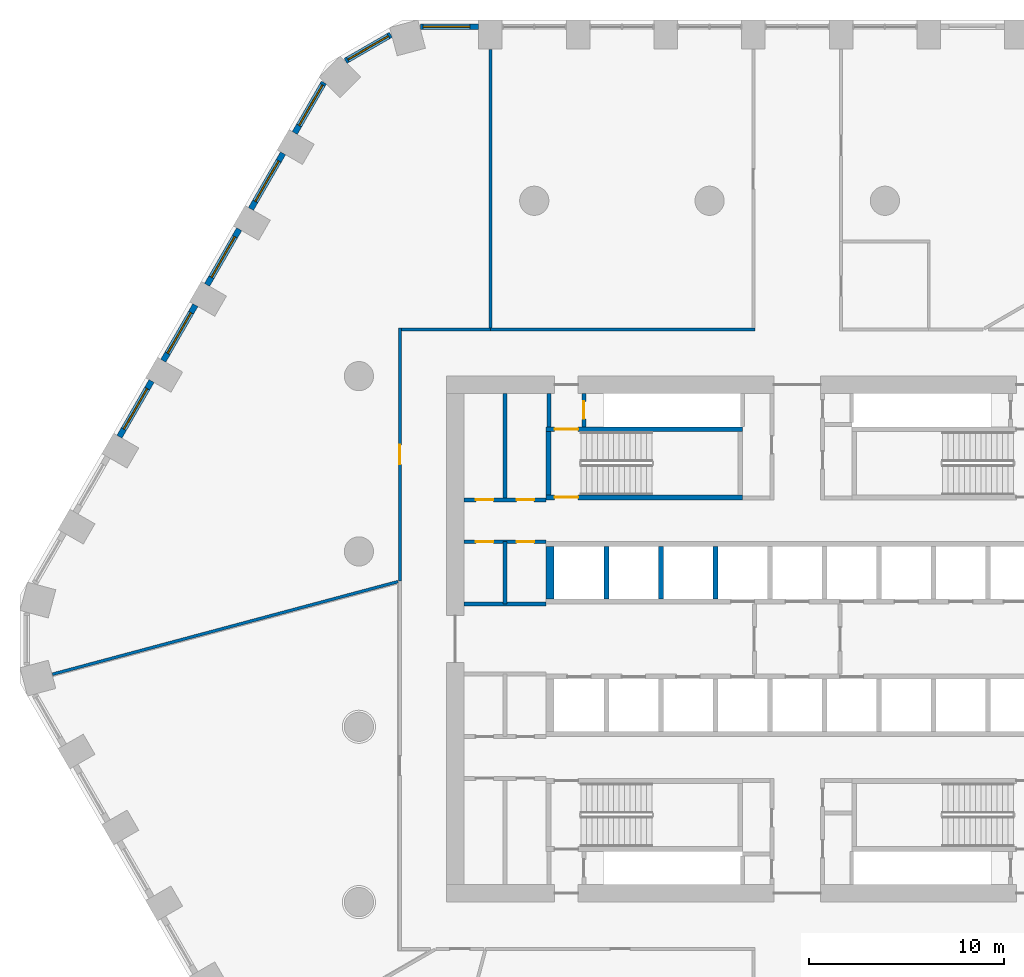
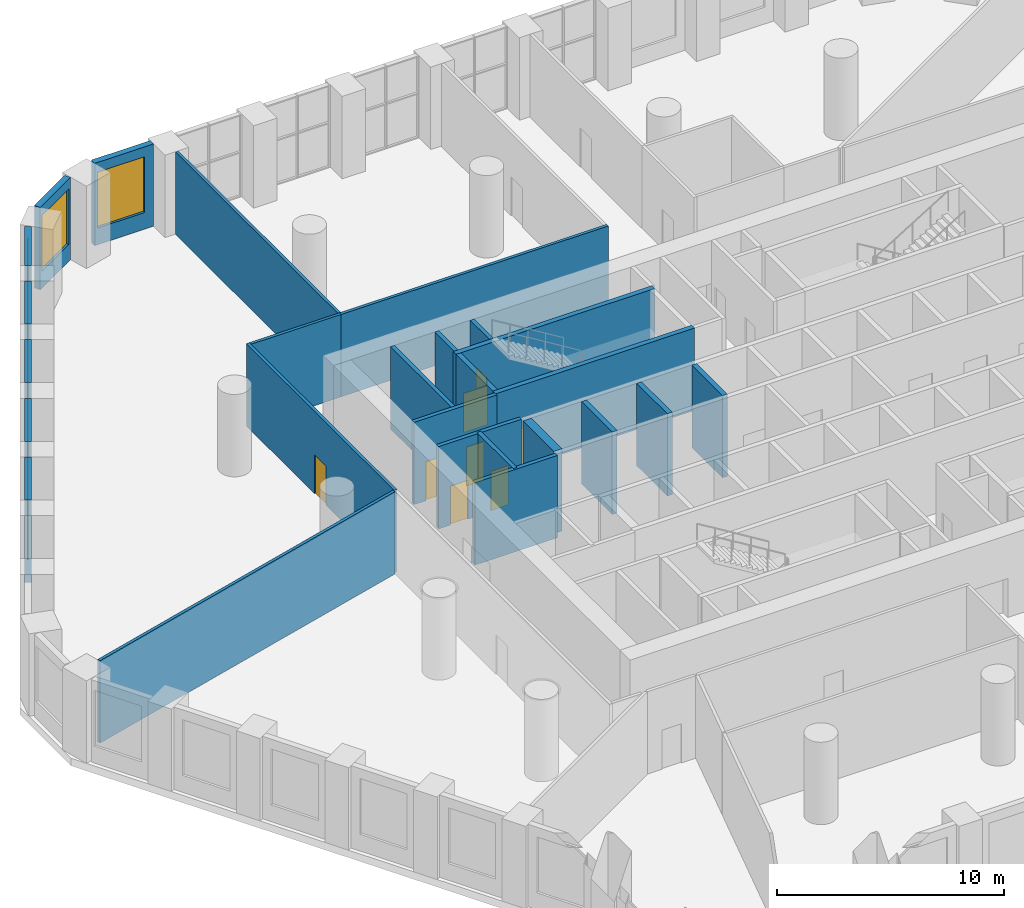
# One storey, part 8 of 13: 26 walls, 8 doors, 7 windows, 15 openings.
"""IFC4 building model written with IfcOpenShell, lengths in metres."""

from ifc_helpers import new_model, si_unit, direction, frame, frame_2d, origin, place, context, subcontext, project, spatial, polyline, rectangle, outline, extrude, material, layer, layer_set, type_object, element, fill, save


model = new_model("IFC4")

# Units and contexts
model_context = context("Model", 3, precision=1e-05, world=origin(), true_north=direction((0.0, 1.0)))
body_context = subcontext(model_context, "Body", "Model", "MODEL_VIEW")
ifc_project = project(units=[si_unit("LENGTHUNIT", "METRE"), si_unit("AREAUNIT", "SQUARE_METRE"), si_unit("VOLUMEUNIT", "CUBIC_METRE"), si_unit("PLANEANGLEUNIT", "RADIAN"), si_unit("MASSUNIT", "GRAM", prefix="KILO")], contexts=[model_context])

# Site, building, storey
site_placement = place(None, origin())
site = spatial("IfcSite", under=ifc_project, at=site_placement, CompositionType="ELEMENT")
building_placement = place(site_placement, origin())
building = spatial("IfcBuilding", under=site, at=building_placement, Name="Dhurran Vertical Campus", CompositionType="ELEMENT")
storey_placement = place(building_placement, frame((0.0, 0.0, 25.199951171875)))
storey = spatial("IfcBuildingStorey", under=building, at=storey_placement, Name="L05", CompositionType="ELEMENT", Elevation=25.199951171875)

# Wall, opening, window
ifc_material_1 = material(Name="Precast concrete C50/60", Category="concrete")
ifc_layer_1 = layer(ifc_material_1, 0.300048828125)
ifc_layer_set_1 = layer_set([ifc_layer_1], Name="Precast concrete C50/60")
wall_type_1 = type_object("IfcWallType", Name="Precast spandrel wall 300", PredefinedType="SOLIDWALL", material=ifc_layer_set_1)
wall_1_placement = place(storey_placement, frame((-16.3505859375, 31.4296875, 0.0), z_axis=(0.0, 0.0, 1.0), x_axis=(-1.0, 0.0, 0.0)))
wall_1 = element("IfcWall", 1, at=wall_1_placement, inside=storey, type_object=wall_type_1, Name="EW1 L05.34", PredefinedType="SOLIDWALL", context=body_context, shape_type="SweptSolid", body=[
    extrude(rectangle(XDim=2.98876953125, YDim=0.300048828125, at=frame_2d((1.494384765625, 0.0))), origin(), (0.0, 0.0, 1.0), 4.425048828125),
])
opening_1_placement = place(wall_1_placement, frame((0.449462890625, 0.0, 0.89990234375)))
opening_1 = element("IfcOpeningElement", 2, at=opening_1_placement, cuts=wall_1, Name="Opening WT2", PredefinedType="OPENING", context=body_context, shape_type="SweptSolid", body=[
    extrude(rectangle(XDim=2.39990234375, YDim=3.0, at=frame_2d((1.199951171875, 1.5))), frame((0.0, 0.159912109375, 0.0), z_axis=(0.0, -1.0, 0.0), x_axis=(1.0, 0.0, 0.0)), (0.0, 0.0, 1.0), 0.320068359375),
])
ifc_material_2 = material(Name="Aluminium frame with solar-control glass", Category="aluminium")
window_type = type_object("IfcWindowType", Name="Podium window 2400 x 3000", PartitioningType="SINGLE_PANEL", PredefinedType="WINDOW", material=ifc_material_2)
window_1_placement = place(opening_1_placement, origin())
window_1 = element("IfcWindow", 3, at=window_1_placement, inside=storey, type_object=window_type, Name="WT2 L05.34", OverallHeight=3.0, OverallWidth=2.39990234375, PartitioningType="SINGLE_PANEL", PredefinedType="WINDOW", context=body_context, shape_type="SweptSolid", body=[
    extrude(rectangle(XDim=2.39990234375, YDim=3.0, at=frame_2d((1.199951171875, 1.5))), frame((0.0, 0.030029296875, 0.0), z_axis=(0.0, -1.0, 0.0), x_axis=(1.0, 0.0, 0.0)), (0.0, 0.0, 1.0), 0.06005859375),
])
fill(opening_1, window_1)

wall_2_placement = place(storey_placement, frame((-20.86376953125, 31.021240234375, 0.0), z_axis=(0.0, 0.0, 1.0), x_axis=(-0.866001915448, -0.500040680786, 0.0)))
wall_2 = element("IfcWall", 4, at=wall_2_placement, inside=storey, type_object=wall_type_1, Name="EW1 L05.35", PredefinedType="SOLIDWALL", context=body_context, shape_type="SweptSolid", body=[
    extrude(rectangle(XDim=2.678466796875, YDim=0.300048828125, at=frame_2d((1.33935546875, 0.0))), origin(), (0.0, 0.0, 1.0), 4.425048828125),
])
opening_2_placement = place(wall_2_placement, frame((0.139404296875, 0.0, 0.89990234375)))
opening_2 = element("IfcOpeningElement", 5, at=opening_2_placement, cuts=wall_2, Name="Opening WT2", PredefinedType="OPENING", context=body_context, shape_type="SweptSolid", body=[
    extrude(rectangle(XDim=2.39990234375, YDim=3.0, at=frame_2d((1.199951171875, 1.5))), frame((0.0, 0.159912109375, 0.0), z_axis=(0.0, -1.0, 0.0), x_axis=(1.0, 0.0, 0.0)), (0.0, 0.0, 1.0), 0.320068359375),
])
window_2_placement = place(opening_2_placement, origin())
window_2 = element("IfcWindow", 6, at=window_2_placement, inside=storey, type_object=window_type, Name="WT2 L05.35", OverallHeight=3.0, OverallWidth=2.39990234375, PartitioningType="SINGLE_PANEL", PredefinedType="WINDOW", context=body_context, shape_type="SweptSolid", body=[
    extrude(rectangle(XDim=2.39990234375, YDim=3.0, at=frame_2d((1.199951171875, 1.5))), frame((0.0, 0.030029296875, 0.0), z_axis=(0.0, -1.0, 0.0), x_axis=(1.0, 0.0, 0.0)), (0.0, 0.0, 1.0), 0.06005859375),
])
fill(opening_2, window_2)

wall_3_placement = place(storey_placement, frame((-24.29931640625, 28.566162109375, 0.0), z_axis=(0.0, 0.0, 1.0), x_axis=(-0.49999586137, -0.866027793211, 0.0)))
wall_3 = element("IfcWall", 7, at=wall_3_placement, inside=storey, type_object=wall_type_1, Name="EW1 L05.36", PredefinedType="SOLIDWALL", context=body_context, shape_type="SweptSolid", body=[
    extrude(rectangle(XDim=2.98876953125, YDim=0.300048828125, at=frame_2d((1.494384765625, 0.0))), origin(), (0.0, 0.0, 1.0), 4.425048828125),
])
opening_3_placement = place(wall_3_placement, frame((0.139404296875, 0.0, 0.89990234375)))
opening_3 = element("IfcOpeningElement", 8, at=opening_3_placement, cuts=wall_3, Name="Opening WT2", PredefinedType="OPENING", context=body_context, shape_type="SweptSolid", body=[
    extrude(rectangle(XDim=2.39990234375, YDim=3.0, at=frame_2d((1.199951171875, 1.5))), frame((0.0, 0.159912109375, 0.0), z_axis=(0.0, -1.0, 0.0), x_axis=(1.0, 0.0, 0.0)), (0.0, 0.0, 1.0), 0.320068359375),
])
window_3_placement = place(opening_3_placement, origin())
window_3 = element("IfcWindow", 9, at=window_3_placement, inside=storey, type_object=window_type, Name="WT2 L05.36", OverallHeight=3.0, OverallWidth=2.39990234375, PartitioningType="SINGLE_PANEL", PredefinedType="WINDOW", context=body_context, shape_type="SweptSolid", body=[
    extrude(rectangle(XDim=2.39990234375, YDim=3.0, at=frame_2d((1.199951171875, 1.5))), frame((0.0, 0.030029296875, 0.0), z_axis=(0.0, -1.0, 0.0), x_axis=(1.0, 0.0, 0.0)), (0.0, 0.0, 1.0), 0.06005859375),
])
fill(opening_3, window_3)

wall_4_placement = place(storey_placement, frame((-26.394287109375, 24.9375, 0.0), z_axis=(0.0, 0.0, 1.0), x_axis=(-0.499991515992, -0.866030301974, 0.0)))
wall_4 = element("IfcWall", 10, at=wall_4_placement, inside=storey, type_object=wall_type_1, Name="EW1 L05.37", PredefinedType="SOLIDWALL", context=body_context, shape_type="SweptSolid", body=[
    extrude(rectangle(XDim=3.298828125, YDim=0.300048828125, at=frame_2d((1.6494140625, 0.0))), origin(), (0.0, 0.0, 1.0), 4.425048828125),
])
opening_4_placement = place(wall_4_placement, frame((0.449462890625, 0.0, 0.89990234375)))
opening_4 = element("IfcOpeningElement", 11, at=opening_4_placement, cuts=wall_4, Name="Opening WT2", PredefinedType="OPENING", context=body_context, shape_type="SweptSolid", body=[
    extrude(rectangle(XDim=2.39990234375, YDim=3.0, at=frame_2d((1.199951171875, 1.5))), frame((0.0, 0.159912109375, 0.0), z_axis=(0.0, -1.0, 0.0), x_axis=(1.0, 0.0, 0.0)), (0.0, 0.0, 1.0), 0.320068359375),
])
window_4_placement = place(opening_4_placement, origin())
window_4 = element("IfcWindow", 12, at=window_4_placement, inside=storey, type_object=window_type, Name="WT2 L05.37", OverallHeight=3.0, OverallWidth=2.39990234375, PartitioningType="SINGLE_PANEL", PredefinedType="WINDOW", context=body_context, shape_type="SweptSolid", body=[
    extrude(rectangle(XDim=2.39990234375, YDim=3.0, at=frame_2d((1.199951171875, 1.5))), frame((0.0, 0.030029296875, 0.0), z_axis=(0.0, -1.0, 0.0), x_axis=(1.0, 0.0, 0.0)), (0.0, 0.0, 1.0), 0.06005859375),
])
fill(opening_4, window_4)

wall_5_placement = place(storey_placement, frame((-28.644287109375, 21.04052734375, 0.0), z_axis=(0.0, 0.0, 1.0), x_axis=(-0.499991515992, -0.866030301974, 0.0)))
wall_5 = element("IfcWall", 13, at=wall_5_placement, inside=storey, type_object=wall_type_1, Name="EW1 L05.38", PredefinedType="SOLIDWALL", context=body_context, shape_type="SweptSolid", body=[
    extrude(rectangle(XDim=3.298828125, YDim=0.300048828125, at=frame_2d((1.6494140625, 0.0))), origin(), (0.0, 0.0, 1.0), 4.425048828125),
])
opening_5_placement = place(wall_5_placement, frame((0.449462890625, 0.0, 0.89990234375)))
opening_5 = element("IfcOpeningElement", 14, at=opening_5_placement, cuts=wall_5, Name="Opening WT2", PredefinedType="OPENING", context=body_context, shape_type="SweptSolid", body=[
    extrude(rectangle(XDim=2.39990234375, YDim=3.0, at=frame_2d((1.199951171875, 1.5))), frame((0.0, 0.159912109375, 0.0), z_axis=(0.0, -1.0, 0.0), x_axis=(1.0, 0.0, 0.0)), (0.0, 0.0, 1.0), 0.320068359375),
])
window_5_placement = place(opening_5_placement, origin())
window_5 = element("IfcWindow", 15, at=window_5_placement, inside=storey, type_object=window_type, Name="WT2 L05.38", OverallHeight=3.0, OverallWidth=2.39990234375, PartitioningType="SINGLE_PANEL", PredefinedType="WINDOW", context=body_context, shape_type="SweptSolid", body=[
    extrude(rectangle(XDim=2.39990234375, YDim=3.0, at=frame_2d((1.199951171875, 1.5))), frame((0.0, 0.030029296875, 0.0), z_axis=(0.0, -1.0, 0.0), x_axis=(1.0, 0.0, 0.0)), (0.0, 0.0, 1.0), 0.06005859375),
])
fill(opening_5, window_5)

wall_6_placement = place(storey_placement, frame((-30.894287109375, 17.143310546875, 0.0), z_axis=(0.0, 0.0, 1.0), x_axis=(-0.499991515992, -0.866030301974, 0.0)))
wall_6 = element("IfcWall", 16, at=wall_6_placement, inside=storey, type_object=wall_type_1, Name="EW1 L05.39", PredefinedType="SOLIDWALL", context=body_context, shape_type="SweptSolid", body=[
    extrude(rectangle(XDim=3.298828125, YDim=0.300048828125, at=frame_2d((1.6494140625, 0.0))), origin(), (0.0, 0.0, 1.0), 4.425048828125),
])
opening_6_placement = place(wall_6_placement, frame((0.449462890625, 0.0, 0.89990234375)))
opening_6 = element("IfcOpeningElement", 17, at=opening_6_placement, cuts=wall_6, Name="Opening WT2", PredefinedType="OPENING", context=body_context, shape_type="SweptSolid", body=[
    extrude(rectangle(XDim=2.39990234375, YDim=3.0, at=frame_2d((1.199951171875, 1.5))), frame((0.0, 0.159912109375, 0.0), z_axis=(0.0, -1.0, 0.0), x_axis=(1.0, 0.0, 0.0)), (0.0, 0.0, 1.0), 0.320068359375),
])
window_6_placement = place(opening_6_placement, origin())
window_6 = element("IfcWindow", 18, at=window_6_placement, inside=storey, type_object=window_type, Name="WT2 L05.39", OverallHeight=3.0, OverallWidth=2.39990234375, PartitioningType="SINGLE_PANEL", PredefinedType="WINDOW", context=body_context, shape_type="SweptSolid", body=[
    extrude(rectangle(XDim=2.39990234375, YDim=3.0, at=frame_2d((1.199951171875, 1.5))), frame((0.0, 0.030029296875, 0.0), z_axis=(0.0, -1.0, 0.0), x_axis=(1.0, 0.0, 0.0)), (0.0, 0.0, 1.0), 0.06005859375),
])
fill(opening_6, window_6)

wall_7_placement = place(storey_placement, frame((-33.144287109375, 13.246337890625, 0.0), z_axis=(0.0, 0.0, 1.0), x_axis=(-0.499991515992, -0.866030301974, 0.0)))
wall_7 = element("IfcWall", 19, at=wall_7_placement, inside=storey, type_object=wall_type_1, Name="EW1 L05.40", PredefinedType="SOLIDWALL", context=body_context, shape_type="SweptSolid", body=[
    extrude(rectangle(XDim=3.298828125, YDim=0.300048828125, at=frame_2d((1.6494140625, 0.0))), origin(), (0.0, 0.0, 1.0), 4.425048828125),
])
opening_7_placement = place(wall_7_placement, frame((0.449462890625, 0.0, 0.89990234375)))
opening_7 = element("IfcOpeningElement", 20, at=opening_7_placement, cuts=wall_7, Name="Opening WT2", PredefinedType="OPENING", context=body_context, shape_type="SweptSolid", body=[
    extrude(rectangle(XDim=2.39990234375, YDim=3.0, at=frame_2d((1.199951171875, 1.5))), frame((0.0, 0.159912109375, 0.0), z_axis=(0.0, -1.0, 0.0), x_axis=(1.0, 0.0, 0.0)), (0.0, 0.0, 1.0), 0.320068359375),
])
window_7_placement = place(opening_7_placement, origin())
window_7 = element("IfcWindow", 21, at=window_7_placement, inside=storey, type_object=window_type, Name="WT2 L05.40", OverallHeight=3.0, OverallWidth=2.39990234375, PartitioningType="SINGLE_PANEL", PredefinedType="WINDOW", context=body_context, shape_type="SweptSolid", body=[
    extrude(rectangle(XDim=2.39990234375, YDim=3.0, at=frame_2d((1.199951171875, 1.5))), frame((0.0, 0.030029296875, 0.0), z_axis=(0.0, -1.0, 0.0), x_axis=(1.0, 0.0, 0.0)), (0.0, 0.0, 1.0), 0.06005859375),
])
fill(opening_7, window_7)

# Wall
ifc_material_3 = material(Name="Fire-rated masonry blockwork", Category="masonry")
ifc_layer_2 = layer(ifc_material_3, 0.199951171875)
ifc_layer_set_2 = layer_set([ifc_layer_2], Name="Fire-rated masonry blockwork")
wall_type_2 = type_object("IfcWallType", Name="co-FIRE-PARTITION-200", PredefinedType="PARTITIONING", material=ifc_layer_set_2)
wall_8_placement = place(storey_placement, frame((-12.75, 10.89990234375, 0.0), z_axis=(0.0, 0.0, 1.0), x_axis=(0.0, 1.0, 0.0)))
element("IfcWall", 22, at=wall_8_placement, inside=storey, type_object=wall_type_2, Name="Core partition pass-ST1-o L05", PredefinedType="PARTITIONING", context=body_context, shape_type="SweptSolid", body=[
    extrude(rectangle(XDim=1.7001953125, YDim=0.199951171875, at=frame_2d((0.85009765625, 0.0))), origin(), (0.0, 0.0, 1.0), 4.425048828125),
])

# Wall, opening, door
wall_9_placement = place(storey_placement, frame((-10.949951171875, 10.89990234375, 0.0), z_axis=(0.0, 0.0, 1.0), x_axis=(0.0, 1.0, 0.0)))
wall_9 = element("IfcWall", 23, at=wall_9_placement, inside=storey, type_object=wall_type_2, Name="Core partition pass-ST1-i L05", PredefinedType="PARTITIONING", context=body_context, shape_type="SweptSolid", body=[
    extrude(rectangle(XDim=1.7001953125, YDim=0.199951171875, at=frame_2d((0.85009765625, 0.0))), origin(), (0.0, 0.0, 1.0), 4.425048828125),
])
opening_8_placement = place(wall_9_placement, frame((0.39990234375, 0.0, 0.0)))
opening_8 = element("IfcOpeningElement", 24, at=opening_8_placement, cuts=wall_9, Name="Opening PD05-C8", PredefinedType="OPENING", context=body_context, shape_type="SweptSolid", body=[
    extrude(rectangle(XDim=0.89990234375, YDim=2.10009765625, at=frame_2d((0.449951171875, 1.050048828125))), frame((0.0, 0.10986328125, 0.0), z_axis=(0.0, -1.0, 0.0), x_axis=(1.0, 0.0, 0.0)), (0.0, 0.0, 1.0), 0.219970703125),
])
ifc_material_4 = material(Name="Fire-rated timber door set", Category="wood")
door_type_1 = type_object("IfcDoorType", Name="co-D-ROOM 900x2100", OperationType="SINGLE_SWING_LEFT", PredefinedType="DOOR", material=ifc_material_4)
door_1_placement = place(opening_8_placement, origin())
door_1 = element("IfcDoor", 25, at=door_1_placement, inside=storey, type_object=door_type_1, Name="Riser room door L05", OperationType="SINGLE_SWING_LEFT", OverallHeight=2.10009765625, OverallWidth=0.89990234375, PredefinedType="DOOR", context=body_context, shape_type="SweptSolid", body=[
    extrude(rectangle(XDim=0.89990234375, YDim=2.10009765625, at=frame_2d((0.449951171875, 1.050048828125))), frame((0.0, 0.02490234375, 0.0), z_axis=(0.0, -1.0, 0.0), x_axis=(1.0, 0.0, 0.0)), (0.0, 0.0, 1.0), 0.050048828125),
])
fill(opening_8, door_1)

# Wall
wall_10_placement = place(storey_placement, frame((-15.0, 7.14990234375, 0.0), z_axis=(0.0, 0.0, 1.0), x_axis=(0.0, 1.0, 0.0)))
element("IfcWall", 26, at=wall_10_placement, inside=storey, type_object=wall_type_2, Name="Core partition en-NW-cut0 L05", PredefinedType="PARTITIONING", context=body_context, shape_type="SweptSolid", body=[
    extrude(rectangle(XDim=5.4501953125, YDim=0.199951171875, at=frame_2d((2.72509765625, 0.0))), origin(), (0.0, 0.0, 1.0), 4.425048828125),
])

# Wall, openings, doors
wall_11_placement = place(storey_placement, frame((-17.10009765625, 7.14990234375, 0.0), z_axis=(0.0, 0.0, 1.0), x_axis=(1.0, 0.0, 0.0)))
wall_11 = element("IfcWall", 27, at=wall_11_placement, inside=storey, type_object=wall_type_2, Name="Core partition en-NW-w L05", PredefinedType="PARTITIONING", context=body_context, shape_type="SweptSolid", body=[
    extrude(rectangle(XDim=4.2001953125, YDim=0.199951171875, at=frame_2d((2.10009765625, 0.0))), origin(), (0.0, 0.0, 1.0), 4.425048828125),
])
opening_9_placement = place(wall_11_placement, frame((0.60009765625, 0.0, 0.0)))
opening_9 = element("IfcOpeningElement", 28, at=opening_9_placement, cuts=wall_11, Name="Opening PD05-C12", PredefinedType="OPENING", context=body_context, shape_type="SweptSolid", body=[
    extrude(rectangle(XDim=0.89990234375, YDim=2.10009765625, at=frame_2d((0.449951171875, 1.050048828125))), frame((0.0, 0.10986328125, 0.0), z_axis=(0.0, -1.0, 0.0), x_axis=(1.0, 0.0, 0.0)), (0.0, 0.0, 1.0), 0.219970703125),
])
opening_10_placement = place(wall_11_placement, frame((2.699951171875, 0.0, 0.0)))
opening_10 = element("IfcOpeningElement", 29, at=opening_10_placement, cuts=wall_11, Name="Opening PD05-C13", PredefinedType="OPENING", context=body_context, shape_type="SweptSolid", body=[
    extrude(rectangle(XDim=0.89990234375, YDim=2.10009765625, at=frame_2d((0.449951171875, 1.050048828125))), frame((0.0, 0.10986328125, 0.0), z_axis=(0.0, -1.0, 0.0), x_axis=(1.0, 0.0, 0.0)), (0.0, 0.0, 1.0), 0.219970703125),
])
door_2_placement = place(opening_9_placement, origin())
door_2 = element("IfcDoor", 30, at=door_2_placement, inside=storey, type_object=door_type_1, Name="Electrical riser door L05", OperationType="SINGLE_SWING_LEFT", OverallHeight=2.10009765625, OverallWidth=0.89990234375, PredefinedType="DOOR", context=body_context, shape_type="SweptSolid", body=[
    extrude(rectangle(XDim=0.89990234375, YDim=2.10009765625, at=frame_2d((0.449951171875, 1.050048828125))), frame((0.0, 0.02490234375, 0.0), z_axis=(0.0, -1.0, 0.0), x_axis=(1.0, 0.0, 0.0)), (0.0, 0.0, 1.0), 0.050048828125),
])
fill(opening_9, door_2)
door_3_placement = place(opening_10_placement, origin())
door_3 = element("IfcDoor", 31, at=door_3_placement, inside=storey, type_object=door_type_1, Name="Print room door L05", OperationType="SINGLE_SWING_LEFT", OverallHeight=2.10009765625, OverallWidth=0.89990234375, PredefinedType="DOOR", context=body_context, shape_type="SweptSolid", body=[
    extrude(rectangle(XDim=0.89990234375, YDim=2.10009765625, at=frame_2d((0.449951171875, 1.050048828125))), frame((0.0, 0.02490234375, 0.0), z_axis=(0.0, -1.0, 0.0), x_axis=(1.0, 0.0, 0.0)), (0.0, 0.0, 1.0), 0.050048828125),
])
fill(opening_10, door_3)

# Wall
wall_12_placement = place(storey_placement, frame((-15.0, 1.800048828125, 0.0), z_axis=(0.0, 0.0, 1.0), x_axis=(0.0, 1.0, 0.0)))
element("IfcWall", 32, at=wall_12_placement, inside=storey, type_object=wall_type_2, Name="Core partition es-NW-cut0 L05", PredefinedType="PARTITIONING", context=body_context, shape_type="SweptSolid", body=[
    extrude(rectangle(XDim=3.199951171875, YDim=0.199951171875, at=frame_2d((1.60009765625, 0.0))), origin(), (0.0, 0.0, 1.0), 4.425048828125),
])

# Wall, openings, doors
wall_13_placement = place(storey_placement, frame((-17.10009765625, 5.0, 0.0), z_axis=(0.0, 0.0, 1.0), x_axis=(1.0, 0.0, 0.0)))
wall_13 = element("IfcWall", 33, at=wall_13_placement, inside=storey, type_object=wall_type_2, Name="Core partition es-NW-w L05", PredefinedType="PARTITIONING", context=body_context, shape_type="SweptSolid", body=[
    extrude(rectangle(XDim=4.2001953125, YDim=0.199951171875, at=frame_2d((2.10009765625, 0.0))), origin(), (0.0, 0.0, 1.0), 4.425048828125),
])
opening_11_placement = place(wall_13_placement, frame((0.60009765625, 0.0, 0.0)))
opening_11 = element("IfcOpeningElement", 34, at=opening_11_placement, cuts=wall_13, Name="Opening PD05-C14", PredefinedType="OPENING", context=body_context, shape_type="SweptSolid", body=[
    extrude(rectangle(XDim=0.89990234375, YDim=2.10009765625, at=frame_2d((0.449951171875, 1.050048828125))), frame((0.0, 0.10986328125, 0.0), z_axis=(0.0, -1.0, 0.0), x_axis=(1.0, 0.0, 0.0)), (0.0, 0.0, 1.0), 0.219970703125),
])
opening_12_placement = place(wall_13_placement, frame((2.699951171875, 0.0, 0.0)))
opening_12 = element("IfcOpeningElement", 35, at=opening_12_placement, cuts=wall_13, Name="Opening PD05-C15", PredefinedType="OPENING", context=body_context, shape_type="SweptSolid", body=[
    extrude(rectangle(XDim=0.89990234375, YDim=2.10009765625, at=frame_2d((0.449951171875, 1.050048828125))), frame((0.0, 0.10986328125, 0.0), z_axis=(0.0, -1.0, 0.0), x_axis=(1.0, 0.0, 0.0)), (0.0, 0.0, 1.0), 0.219970703125),
])
door_4_placement = place(opening_11_placement, origin())
door_4 = element("IfcDoor", 36, at=door_4_placement, inside=storey, type_object=door_type_1, Name="Pantry door L05", OperationType="SINGLE_SWING_LEFT", OverallHeight=2.10009765625, OverallWidth=0.89990234375, PredefinedType="DOOR", context=body_context, shape_type="SweptSolid", body=[
    extrude(rectangle(XDim=0.89990234375, YDim=2.10009765625, at=frame_2d((0.449951171875, 1.050048828125))), frame((0.0, 0.02490234375, 0.0), z_axis=(0.0, -1.0, 0.0), x_axis=(1.0, 0.0, 0.0)), (0.0, 0.0, 1.0), 0.050048828125),
])
fill(opening_11, door_4)
door_5_placement = place(opening_12_placement, origin())
door_5 = element("IfcDoor", 37, at=door_5_placement, inside=storey, type_object=door_type_1, Name="Plant room door L05", OperationType="SINGLE_SWING_LEFT", OverallHeight=2.10009765625, OverallWidth=0.89990234375, PredefinedType="DOOR", context=body_context, shape_type="SweptSolid", body=[
    extrude(rectangle(XDim=0.89990234375, YDim=2.10009765625, at=frame_2d((0.449951171875, 1.050048828125))), frame((0.0, 0.02490234375, 0.0), z_axis=(0.0, -1.0, 0.0), x_axis=(1.0, 0.0, 0.0)), (0.0, 0.0, 1.0), 0.050048828125),
])
fill(opening_12, door_5)

# Walls
wall_14_placement = place(storey_placement, frame((-17.10009765625, 1.800048828125, 0.0), z_axis=(0.0, 0.0, 1.0), x_axis=(1.0, 0.0, 0.0)))
element("IfcWall", 38, at=wall_14_placement, inside=storey, type_object=wall_type_2, Name="Core partition es-NW-l L05", PredefinedType="PARTITIONING", context=body_context, shape_type="SweptSolid", body=[
    extrude(rectangle(XDim=4.2001953125, YDim=0.199951171875, at=frame_2d((2.10009765625, 0.0))), origin(), (0.0, 0.0, 1.0), 4.425048828125),
])
ifc_material_5 = material(Name="Concrete C50/60", Category="concrete")
ifc_layer_3 = layer(ifc_material_5, 0.25)
ifc_layer_set_3 = layer_set([ifc_layer_3], Name="Concrete C50/60")
wall_type_3 = type_object("IfcWallType", Name="co-SHAFT-MASS-250", PredefinedType="SHEAR", material=ifc_layer_set_3)
wall_15_placement = place(storey_placement, origin())
element("IfcWall", 39, at=wall_15_placement, inside=storey, type_object=wall_type_3, Name="Lift shaft wall N L05 2", PredefinedType="SHEAR", context=body_context, shape_type="SweptSolid", body=[
    extrude(outline(polyline([(-12.89990234375, 2.050048828125), (-12.47509765625, 2.050048828125), (-12.47509765625, 4.75), (-12.89990234375, 4.75), (-12.89990234375, 2.050048828125)])), origin(), (0.0, 0.0, 1.0), 4.425048828125),
])
wall_16_placement = place(storey_placement, origin())
element("IfcWall", 40, at=wall_16_placement, inside=storey, type_object=wall_type_3, Name="Lift shaft wall N L05 3", PredefinedType="SHEAR", context=body_context, shape_type="SweptSolid", body=[
    extrude(outline(polyline([(-9.925048828125, 2.050048828125), (-9.675048828125, 2.050048828125), (-9.675048828125, 4.75), (-9.925048828125, 4.75), (-9.925048828125, 2.050048828125)])), origin(), (0.0, 0.0, 1.0), 4.425048828125),
])
wall_17_placement = place(storey_placement, origin())
element("IfcWall", 41, at=wall_17_placement, inside=storey, type_object=wall_type_3, Name="Lift shaft wall N L05 4", PredefinedType="SHEAR", context=body_context, shape_type="SweptSolid", body=[
    extrude(outline(polyline([(-7.125, 2.050048828125), (-6.875, 2.050048828125), (-6.875, 4.75), (-7.125, 4.75), (-7.125, 2.050048828125)])), origin(), (0.0, 0.0, 1.0), 4.425048828125),
])
wall_18_placement = place(storey_placement, origin())
element("IfcWall", 42, at=wall_18_placement, inside=storey, type_object=wall_type_3, Name="Lift shaft wall N L05 5", PredefinedType="SHEAR", context=body_context, shape_type="SweptSolid", body=[
    extrude(outline(polyline([(-4.324951171875, 2.050048828125), (-4.074951171875, 2.050048828125), (-4.074951171875, 4.75), (-4.324951171875, 4.75), (-4.324951171875, 2.050048828125)])), origin(), (0.0, 0.0, 1.0), 4.425048828125),
])

# Wall, opening, door
ifc_material_6 = material(Name="Concrete C40/50", Category="concrete")
ifc_layer_4 = layer(ifc_material_6, 0.25)
ifc_layer_set_4 = layer_set([ifc_layer_4], Name="Concrete C40/50")
wall_type_4 = type_object("IfcWallType", Name="co-STAIR-WALL-250", PredefinedType="SHEAR", material=ifc_layer_set_4)
wall_19_placement = place(storey_placement, frame((-12.89990234375, 7.27490234375, 0.0), z_axis=(0.0, 0.0, 1.0), x_axis=(1.0, 0.0, 0.0)))
wall_19 = element("IfcWall", 43, at=wall_19_placement, inside=storey, type_object=wall_type_4, Name="Stair ST1 enclosure wall L05", PredefinedType="SHEAR", context=body_context, shape_type="SweptSolid", body=[
    extrude(rectangle(XDim=10.099853515625, YDim=0.25, at=frame_2d((5.0498046875, 0.0))), origin(), (0.0, 0.0, 1.0), 4.425048828125),
])
opening_13_placement = place(wall_19_placement, frame((0.449951171875, 0.0, 0.0)))
opening_13 = element("IfcOpeningElement", 44, at=opening_13_placement, cuts=wall_19, Name="Opening SD1", PredefinedType="OPENING", context=body_context, shape_type="SweptSolid", body=[
    extrude(rectangle(XDim=1.199951171875, YDim=2.10009765625, at=frame_2d((0.60009765625, 1.050048828125))), frame((0.0, 0.135009765625, 0.0), z_axis=(0.0, -1.0, 0.0), x_axis=(1.0, 0.0, 0.0)), (0.0, 0.0, 1.0), 0.27001953125),
])
ifc_material_7 = material(Name="Fire-rated steel door set", Category="steel")
door_type_2 = type_object("IfcDoorType", Name="co-D-STAIR 1200x2100", OperationType="SINGLE_SWING_LEFT", PredefinedType="DOOR", material=ifc_material_7)
door_6_placement = place(opening_13_placement, origin())
door_6 = element("IfcDoor", 45, at=door_6_placement, inside=storey, type_object=door_type_2, Name="Stair ST1 door L05", OperationType="SINGLE_SWING_LEFT", OverallHeight=2.10009765625, OverallWidth=1.199951171875, PredefinedType="DOOR", context=body_context, shape_type="SweptSolid", body=[
    extrude(rectangle(XDim=1.199951171875, YDim=2.10009765625, at=frame_2d((0.60009765625, 1.050048828125))), frame((0.0, 0.02490234375, 0.0), z_axis=(0.0, -1.0, 0.0), x_axis=(1.0, 0.0, 0.0)), (0.0, 0.0, 1.0), 0.050048828125),
])
fill(opening_13, door_6)

wall_20_placement = place(storey_placement, frame((-12.89990234375, 10.77490234375, 0.0), z_axis=(0.0, 0.0, 1.0), x_axis=(1.0, 0.0, 0.0)))
wall_20 = element("IfcWall", 46, at=wall_20_placement, inside=storey, type_object=wall_type_4, Name="Stair ST1 enclosure wall L05", PredefinedType="SHEAR", context=body_context, shape_type="SweptSolid", body=[
    extrude(rectangle(XDim=10.099853515625, YDim=0.25, at=frame_2d((5.0498046875, 0.0))), origin(), (0.0, 0.0, 1.0), 4.425048828125),
])
opening_14_placement = place(wall_20_placement, frame((0.449951171875, 0.0, 0.0)))
opening_14 = element("IfcOpeningElement", 47, at=opening_14_placement, cuts=wall_20, Name="Opening XS1", PredefinedType="OPENING", context=body_context, shape_type="SweptSolid", body=[
    extrude(rectangle(XDim=1.199951171875, YDim=2.10009765625, at=frame_2d((0.60009765625, 1.050048828125))), frame((0.0, 0.135009765625, 0.0), z_axis=(0.0, -1.0, 0.0), x_axis=(1.0, 0.0, 0.0)), (0.0, 0.0, 1.0), 0.27001953125),
])
ifc_material_8 = material(Name="Fire-rated steel door set", Category="steel")
door_type_3 = type_object("IfcDoorType", Name="co-D-STAIR-EXIT 1200x2100", OperationType="SINGLE_SWING_RIGHT", PredefinedType="DOOR", material=ifc_material_8)
door_7_placement = place(opening_14_placement, origin())
door_7 = element("IfcDoor", 48, at=door_7_placement, inside=storey, type_object=door_type_3, Name="Stair ST1 discharge door L05", OperationType="SINGLE_SWING_RIGHT", OverallHeight=2.10009765625, OverallWidth=1.199951171875, PredefinedType="DOOR", context=body_context, shape_type="SweptSolid", body=[
    extrude(rectangle(XDim=1.199951171875, YDim=2.10009765625, at=frame_2d((0.60009765625, 1.050048828125))), frame((0.0, 0.02490234375, 0.0), z_axis=(0.0, -1.0, 0.0), x_axis=(1.0, 0.0, 0.0)), (0.0, 0.0, 1.0), 0.050048828125),
])
fill(opening_14, door_7)

# Wall
wall_21_placement = place(storey_placement, frame((-12.77490234375, 7.39990234375, 0.0), z_axis=(0.0, 0.0, 1.0), x_axis=(0.0, 1.0, 0.0)))
element("IfcWall", 49, at=wall_21_placement, inside=storey, type_object=wall_type_4, Name="Stair ST1 enclosure wall L05", PredefinedType="SHEAR", context=body_context, shape_type="SweptSolid", body=[
    extrude(rectangle(XDim=3.25, YDim=0.25, at=frame_2d((1.625, 0.0))), origin(), (0.0, 0.0, 1.0), 4.425048828125),
])

# Wall, opening, door
ifc_material_9 = material(Name="Gypsum board corridor wall on steel studs", Category="steel")
ifc_layer_5 = layer(ifc_material_9, 0.14990234375)
ifc_layer_set_5 = layer_set([ifc_layer_5], Name="Gypsum board corridor wall on steel studs")
wall_type_5 = type_object("IfcWallType", Name="fl-CW-150 corridor wall", PredefinedType="PARTITIONING", material=ifc_layer_set_5)
wall_22_placement = place(storey_placement, frame((-20.39990234375, 15.97509765625, 0.0), z_axis=(0.0, 0.0, 1.0), x_axis=(0.0, -1.0, 0.0)))
wall_22 = element("IfcWall", 50, at=wall_22_placement, inside=storey, type_object=wall_type_5, Name="Partition 05-05", PredefinedType="PARTITIONING", context=body_context, shape_type="SweptSolid", body=[
    extrude(rectangle(XDim=13.0009765625, YDim=0.14990234375, at=frame_2d((6.50048828125, 0.0))), origin(), (0.0, 0.0, 1.0), 4.425048828125),
])
opening_15_placement = place(wall_22_placement, frame((6.00048828125, 0.0, 0.0)))
opening_15 = element("IfcOpeningElement", 51, at=opening_15_placement, cuts=wall_22, Name="Opening PD05.02", PredefinedType="OPENING", context=body_context, shape_type="SweptSolid", body=[
    extrude(rectangle(XDim=1.0, YDim=2.10009765625, at=frame_2d((0.5, 1.050048828125))), frame((0.0, 0.0849609375, 0.0), z_axis=(0.0, -1.0, 0.0), x_axis=(1.0, 0.0, 0.0)), (0.0, 0.0, 1.0), 0.169921875),
])
ifc_material_10 = material(Name="Solid-core timber door set, fire-rated", Category="wood")
door_type_4 = type_object("IfcDoorType", Name="fl-D-1000x2100", OperationType="SINGLE_SWING_LEFT", PredefinedType="DOOR", material=ifc_material_10)
door_8_placement = place(opening_15_placement, origin())
door_8 = element("IfcDoor", 52, at=door_8_placement, inside=storey, type_object=door_type_4, Name="Door 05.02", OperationType="SINGLE_SWING_RIGHT", OverallHeight=2.10009765625, OverallWidth=1.0, PredefinedType="DOOR", context=body_context, shape_type="SweptSolid", body=[
    extrude(rectangle(XDim=1.0, YDim=2.10009765625, at=frame_2d((0.5, 1.050048828125))), frame((0.0, 0.02490234375, 0.0), z_axis=(0.0, -1.0, 0.0), x_axis=(1.0, 0.0, 0.0)), (0.0, 0.0, 1.0), 0.050048828125),
])
fill(opening_15, door_8)

# Walls
wall_23_placement = place(storey_placement, frame((-15.75, 15.89990234375, 0.0), z_axis=(0.0, 0.0, 1.0), x_axis=(-1.0, 0.0, 0.0)))
element("IfcWall", 53, at=wall_23_placement, inside=storey, type_object=wall_type_5, Name="Partition 05-06", PredefinedType="PARTITIONING", context=body_context, shape_type="SweptSolid", body=[
    extrude(rectangle(XDim=4.574951171875, YDim=0.14990234375, at=frame_2d((2.28759765625, 0.0))), origin(), (0.0, 0.0, 1.0), 4.425048828125),
])
wall_24_placement = place(storey_placement, frame((-2.175048828125, 15.89990234375, 0.0), z_axis=(0.0, 0.0, 1.0), x_axis=(-1.0, 0.0, 0.0)))
element("IfcWall", 54, at=wall_24_placement, inside=storey, type_object=wall_type_5, Name="Partition 05-13", PredefinedType="PARTITIONING", context=body_context, shape_type="SweptSolid", body=[
    extrude(rectangle(XDim=13.574951171875, YDim=0.14990234375, at=frame_2d((6.78759765625, 0.0))), origin(), (0.0, 0.0, 1.0), 4.425048828125),
])
ifc_material_11 = material(Name="Gypsum board partition on steel studs", Category="steel")
ifc_layer_6 = layer(ifc_material_11, 0.14990234375)
ifc_layer_set_6 = layer_set([ifc_layer_6], Name="Gypsum board partition on steel studs")
wall_type_6 = type_object("IfcWallType", Name="fl-PW-150 fixed partition", PredefinedType="PARTITIONING", material=ifc_layer_set_6)
wall_25_placement = place(storey_placement, frame((-38.234619140625, -1.804931640625, 0.0), z_axis=(0.0, 0.0, 1.0), x_axis=(0.965923193159, 0.258828871876, 0.0)))
element("IfcWall", 55, at=wall_25_placement, inside=storey, type_object=wall_type_6, Name="Partition 05-01", PredefinedType="PARTITIONING", context=body_context, shape_type="SweptSolid", body=[
    extrude(rectangle(XDim=18.368896484375, YDim=0.14990234375, at=frame_2d((9.1845703125, 0.0))), origin(), (0.0, 0.0, 1.0), 4.425048828125),
])
wall_26_placement = place(storey_placement, frame((-15.75, 30.259765625, 0.0), z_axis=(0.0, 0.0, 1.0), x_axis=(0.0, -1.0, 0.0)))
element("IfcWall", 56, at=wall_26_placement, inside=storey, type_object=wall_type_6, Name="Partition 05-12", PredefinedType="PARTITIONING", context=body_context, shape_type="SweptSolid", body=[
    extrude(rectangle(XDim=14.28466796875, YDim=0.14990234375, at=frame_2d((7.142333984375, 0.0))), origin(), (0.0, 0.0, 1.0), 4.425048828125),
])

save(model, "model.ifc")
